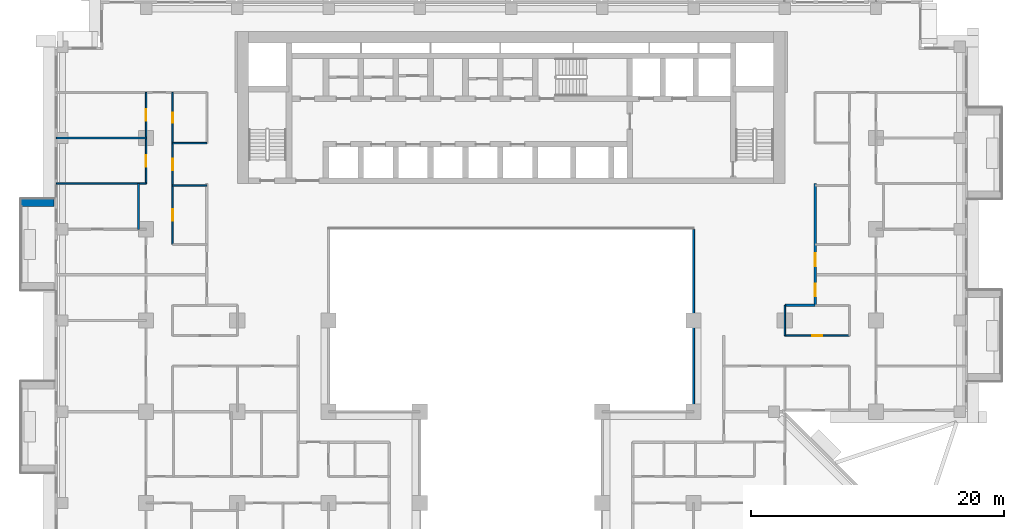
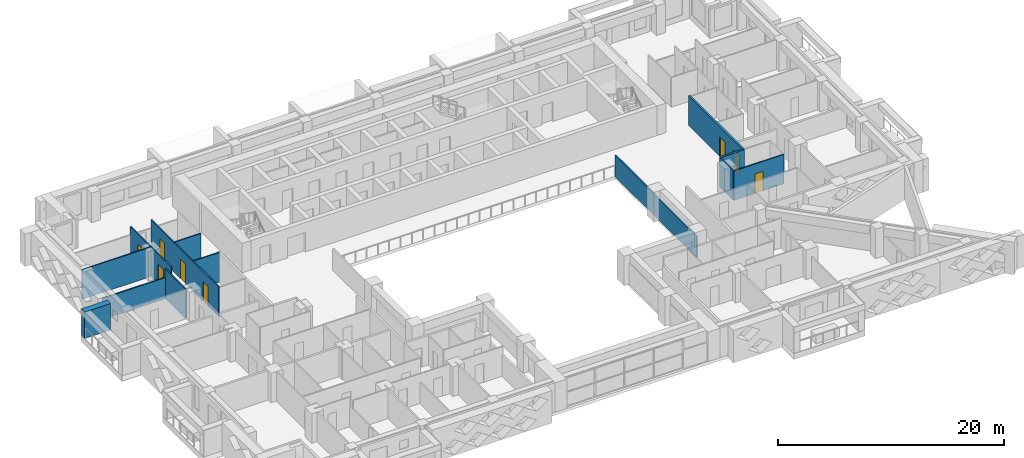
# One storey, part 9 of 17: 13 walls, 8 doors, 8 openings.
"""IFC4 building model written with IfcOpenShell, lengths in metres."""

import ifcopenshell
import ifcopenshell.guid

model = None  # the IFC model being written
_history = None  # IfcOwnerHistory: only IFC2X3 demands one
_inside = {}  # id of a spatial element -> (the spatial element, [elements in it])
_under = {}  # id of a project, library or spatial element -> (it, [spatial elements below it])
_declared = {}  # id of a project -> (the project, [libraries it declares])
_typed = {}  # id of a type object -> (the type object, [elements of that type])
_made_of = {}  # id of a material, layer set ... -> (it, [elements and type objects made of it])


def new_model(schema):
    """Start an empty IFC model of exactly this schema.

    Asked for "IFC4X3", IfcOpenShell would pick the latest addendum, in which some entities
    have other attributes; the version numbers below select the first issue.
    IFC2X3 requires an IfcOwnerHistory on every rooted entity: one is made here for all.
    """
    global model, _history
    if schema == "IFC4X3":
        model = ifcopenshell.file(schema_version=(4, 3, 0, 0))
    else:
        model = ifcopenshell.file(schema=schema)
    _inside.clear()
    _under.clear()
    _declared.clear()
    _typed.clear()
    _made_of.clear()
    _history = None
    if model.schema == "IFC2X3":
        org = make("IfcOrganization", Name="unknown")
        user = make(
            "IfcPersonAndOrganization",
            ThePerson=make("IfcPerson", FamilyName="unknown"),
            TheOrganization=org,
        )
        app = make(
            "IfcApplication",
            ApplicationDeveloper=org,
            Version="unknown",
            ApplicationFullName="unknown",
            ApplicationIdentifier="unknown",
        )
        _history = make(
            "IfcOwnerHistory",
            OwningUser=user,
            OwningApplication=app,
            ChangeAction="ADDED",
            CreationDate=0,
        )
    return model


def make(cls, **values):
    """One entity of the class cls with the attributes given. An attribute that is None is left unset."""
    return model.create_entity(
        cls, **{name: value for name, value in values.items() if value is not None}
    )


def rooted(cls, **values):
    """An entity with a GlobalId (a new one), such as an element, a storey or a relation."""
    return make(cls, GlobalId=ifcopenshell.guid.new(), OwnerHistory=_history, **values)


def si_unit(unit_type, name, prefix=None):
    """IfcSIUnit, for example si_unit("LENGTHUNIT", "METRE", prefix="MILLI")."""
    return make("IfcSIUnit", UnitType=unit_type, Prefix=prefix, Name=name)


def assignment(units):
    """IfcUnitAssignment: the units of a project."""
    return None if units is None else make("IfcUnitAssignment", Units=units)


def point(xyz):
    """IfcCartesianPoint."""
    return None if xyz is None else make("IfcCartesianPoint", Coordinates=xyz)


def direction(xyz):
    """IfcDirection."""
    return None if xyz is None else make("IfcDirection", DirectionRatios=xyz)


def frame(location, z_axis=None, x_axis=None):
    """IfcAxis2Placement3D, a coordinate frame: its origin and axes. An axis left out is left unset."""
    return make(
        "IfcAxis2Placement3D",
        Location=point(location),
        Axis=direction(z_axis),
        RefDirection=direction(x_axis),
    )


def frame_2d(location, x_axis=None):
    """IfcAxis2Placement2D, a coordinate frame in the plane: its origin and x axis."""
    return make(
        "IfcAxis2Placement2D", Location=point(location), RefDirection=direction(x_axis)
    )


def origin():
    """The frame at (0, 0, 0) with its axes left unset."""
    return frame((0.0, 0.0, 0.0))


def place(relative_to, where):
    """IfcLocalPlacement: puts the frame where relative to a parent placement (None: the world)."""
    return make(
        "IfcLocalPlacement", PlacementRelTo=relative_to, RelativePlacement=where
    )


def context(
    kind, dimensions, precision=None, world=None, true_north=None, identifier=None
):
    """IfcGeometricRepresentationContext, for example the 3D "Model" context."""
    return make(
        "IfcGeometricRepresentationContext",
        ContextIdentifier=identifier,
        ContextType=kind,
        CoordinateSpaceDimension=dimensions,
        Precision=precision,
        WorldCoordinateSystem=world,
        TrueNorth=true_north,
    )


def subcontext(parent, identifier, kind, view, scale=None):
    """IfcGeometricRepresentationSubContext, for example "Body" below "Model"."""
    return make(
        "IfcGeometricRepresentationSubContext",
        ContextIdentifier=identifier,
        ContextType=kind,
        ParentContext=parent,
        TargetScale=scale,
        TargetView=view,
    )


def project(units=None, contexts=None):
    """IfcProject with its units and contexts."""
    return rooted(
        "IfcProject",
        Name="project",
        RepresentationContexts=contexts,
        UnitsInContext=assignment(units),
    )


def spatial(cls, under=None, at=None, **own):
    """A site, building, storey or space (cls), placed at a placement, below another one or the project."""
    s = rooted(cls, ObjectPlacement=at, **own)
    if under is not None:
        _under.setdefault(under.id(), (under, []))[1].append(s)
    return s


def profile(cls, at=None, kind="AREA", **sizes):
    """A parametric profile (cls). Its sizes go by their IFC names, for example OverallWidth=200.0."""
    return make(cls, ProfileType=kind, Position=at, **sizes)


def rectangle(**sizes):
    """IfcRectangleProfileDef."""
    return profile("IfcRectangleProfileDef", **sizes)


def extrude(swept, where, along, depth):
    """IfcExtrudedAreaSolid: the profile swept, set in the frame where, extruded along a direction by depth."""
    return make(
        "IfcExtrudedAreaSolid",
        SweptArea=swept,
        Position=where,
        ExtrudedDirection=direction(along),
        Depth=depth,
    )


def shape(context_of_items, identifier, shape_type, items):
    """IfcShapeRepresentation: the items that make up one representation, for example the "Body"."""
    return make(
        "IfcShapeRepresentation",
        ContextOfItems=context_of_items,
        RepresentationIdentifier=identifier,
        RepresentationType=shape_type,
        Items=items,
    )


def material(Name=None, Category=None):
    """IfcMaterial."""
    return make("IfcMaterial", Name=Name, Category=Category)


def layer(
    of_material, thickness, ventilated=None, Name=None, Category=None, Priority=None
):
    """IfcMaterialLayer: one layer of a wall or slab, of a material (None: an air gap)."""
    return make(
        "IfcMaterialLayer",
        Material=of_material,
        LayerThickness=thickness,
        IsVentilated=ventilated,
        Name=Name,
        Category=Category,
        Priority=Priority,
    )


def layer_set(layers, Name=None):
    """IfcMaterialLayerSet."""
    return make("IfcMaterialLayerSet", MaterialLayers=layers, LayerSetName=Name)


def made_of(thing, what):
    """Note that an element or type object is made of a material, layer set ...; save() writes the relation."""
    if what is not None:
        _made_of.setdefault(what.id(), (what, []))[1].append(thing)
    return thing


def type_object(cls, material=None, **own):
    """A type object (cls), such as IfcWallType, which elements share."""
    return made_of(rooted(cls, **own), material)


def element(
    cls,
    number,
    at=None,
    inside=None,
    cuts=None,
    type_object=None,
    material=None,
    context=None,
    identifier="Body",
    shape_type=None,
    held_by="IfcProductDefinitionShape",
    body=None,
    shapes=None,
    **own,
):
    """One element of the class cls, such as IfcWall. Its Tag is "e" and its number.

    at: its placement. inside: the storey or other place that contains it. cuts: it is an
    opening in that element (IfcRelVoidsElement). A single representation is given by context,
    identifier, shape_type and body (its items); several are given by shapes. held_by: the class
    of the entity that holds the representations. save() writes the other relations.
    """
    e = rooted(cls, Tag="e%d" % number, ObjectPlacement=at, **own)
    if body is not None:
        shapes = [shape(context, identifier, shape_type, body)]
    if shapes is not None:
        e.Representation = make(held_by, Representations=shapes)
    if inside is not None:
        _inside.setdefault(inside.id(), (inside, []))[1].append(e)
    if cuts is not None:
        rooted(
            "IfcRelVoidsElement", RelatingBuildingElement=cuts, RelatedOpeningElement=e
        )
    if type_object is not None:
        _typed.setdefault(type_object.id(), (type_object, []))[1].append(e)
    return made_of(e, material)


def fill(opening, filler):
    """IfcRelFillsElement: the door or window that sits in an opening."""
    return rooted(
        "IfcRelFillsElement",
        RelatingOpeningElement=opening,
        RelatedBuildingElement=filler,
    )


def aggregate(whole, parts):
    """IfcRelAggregates: a whole, such as a stair, and the parts it consists of."""
    return rooted("IfcRelAggregates", RelatingObject=whole, RelatedObjects=parts)


def save(model, path):
    """Write the relations noted so far, then the file.

    IfcRelAggregates (storeys below a building ...), IfcRelContainedInSpatialStructure (elements
    in a storey), IfcRelDefinesByType, IfcRelAssociatesMaterial and IfcRelDeclares: one each for
    every whole, place, type object, material and project.
    """
    for whole, parts in _under.values():
        aggregate(whole, parts)
    for where, things in _inside.values():
        rooted(
            "IfcRelContainedInSpatialStructure",
            RelatedElements=things,
            RelatingStructure=where,
        )
    for kind, things in _typed.values():
        rooted("IfcRelDefinesByType", RelatedObjects=things, RelatingType=kind)
    for what, things in _made_of.values():
        rooted("IfcRelAssociatesMaterial", RelatedObjects=things, RelatingMaterial=what)
    for by, libraries in _declared.values():
        rooted("IfcRelDeclares", RelatingContext=by, RelatedDefinitions=libraries)
    model.write(path)


model = new_model("IFC4")

# Units and contexts
model_context = context("Model", 3, precision=1e-05, world=origin(), true_north=direction((0.0, 1.0)))
body_context = subcontext(model_context, "Body", "Model", "MODEL_VIEW")
ifc_project = project(units=[si_unit("LENGTHUNIT", "METRE"), si_unit("AREAUNIT", "SQUARE_METRE"), si_unit("VOLUMEUNIT", "CUBIC_METRE"), si_unit("PLANEANGLEUNIT", "RADIAN"), si_unit("MASSUNIT", "GRAM", prefix="KILO")], contexts=[model_context])

# Site, building, storey
site_placement = place(None, origin())
site = spatial("IfcSite", under=ifc_project, at=site_placement, CompositionType="ELEMENT")
building_placement = place(site_placement, origin())
building = spatial("IfcBuilding", under=site, at=building_placement, Name="Saffron Iwan Residences", CompositionType="ELEMENT")
storey_placement = place(building_placement, frame((0.0, 0.0, 93.5)))
storey = spatial("IfcBuildingStorey", under=building, at=storey_placement, Name="L24", CompositionType="ELEMENT", Elevation=93.5)

# Walls
ifc_material_1 = material(Name="Fire-rated glazing", Category="glass")
ifc_layer_1 = layer(ifc_material_1, 0.14990234375)
ifc_layer_set_1 = layer_set([ifc_layer_1], Name="Fire-rated glazing")
wall_type_1 = type_object("IfcWallType", Name="Atrium glazed screen 150", PredefinedType="SOLIDWALL", material=ifc_layer_set_1)
wall_1_placement = place(storey_placement, frame((64.800048828125, 48.0, 0.0), z_axis=(0.0, 0.0, 1.0), x_axis=(0.0, 1.0, 0.0)))
element("IfcWall", 1, at=wall_1_placement, inside=storey, type_object=wall_type_1, Name="W-L24-SCREEN-v64.8-48", PredefinedType="SOLIDWALL", context=body_context, shape_type="SweptSolid", body=[
    extrude(rectangle(XDim=14.39990234375, YDim=0.14990234375, at=frame_2d((7.199951171875, 0.0))), origin(), (0.0, 0.0, 1.0), 2.280029296875),
])
ifc_material_2 = material(Name="Concrete C50/60 white painted", Category="concrete")
ifc_layer_2 = layer(ifc_material_2, 0.60009765625)
ifc_layer_set_2 = layer_set([ifc_layer_2], Name="Concrete C50/60 white painted")
wall_type_2 = type_object("IfcWallType", Name="BALCONY FIN 600", PredefinedType="SOLIDWALL", material=ifc_layer_set_2)
wall_2_placement = place(storey_placement, frame((14.35009765625, 64.5, 0.0), z_axis=(0.0, 0.0, 1.0), x_axis=(-1.0, 0.0, 0.0)))
element("IfcWall", 2, at=wall_2_placement, inside=storey, type_object=wall_type_2, Name="Balcony fin L24 F8-0a", PredefinedType="SOLIDWALL", context=body_context, shape_type="SweptSolid", body=[
    extrude(rectangle(XDim=2.650146484375, YDim=0.60009765625, at=frame_2d((1.3251953125, 0.0))), origin(), (0.0, 0.0, 1.0), 2.85009765625),
])

# Wall, opening, door
ifc_material_3 = material(Name="Gypsum board partition")
ifc_layer_3 = layer(ifc_material_3, 0.1201171875)
ifc_layer_set_3 = layer_set([ifc_layer_3], Name="Gypsum board partition")
wall_type_3 = type_object("IfcWallType", Name="Flat partition 120", PredefinedType="PARTITIONING", material=ifc_layer_set_3)
wall_3_placement = place(storey_placement, frame((72.0, 54.0, 0.0), z_axis=(0.0, 0.0, 1.0), x_axis=(1.0, 0.0, 0.0)))
wall_3 = element("IfcWall", 3, at=wall_3_placement, inside=storey, type_object=wall_type_3, Name="W-L24-PART-h54-72", PredefinedType="PARTITIONING", context=body_context, shape_type="SweptSolid", body=[
    extrude(rectangle(XDim=5.10009765625, YDim=0.1201171875, at=frame_2d((2.550048828125, 0.0))), origin(), (0.0, 0.0, 1.0), 3.179931640625),
])
opening_1_placement = place(wall_3_placement, frame((2.14990234375, 0.0, 0.0)))
opening_1 = element("IfcOpeningElement", 4, at=opening_1_placement, cuts=wall_3, Name="Opening FD3", PredefinedType="OPENING", context=body_context, shape_type="SweptSolid", body=[
    extrude(rectangle(XDim=0.800048828125, YDim=2.10009765625, at=frame_2d((0.39990234375, 1.050048828125))), frame((0.0, 0.070068359375, 0.0), z_axis=(0.0, -1.0, 0.0), x_axis=(1.0, 0.0, 0.0)), (0.0, 0.0, 1.0), 0.14013671875),
])
ifc_material_4 = material(Name="Timber door", Category="wood")
door_type_1 = type_object("IfcDoorType", Name="Bathroom door 800", OperationType="NOTDEFINED", PredefinedType="DOOR", material=ifc_material_4)
door_1_placement = place(opening_1_placement, origin())
door_1 = element("IfcDoor", 5, at=door_1_placement, inside=storey, type_object=door_type_1, Name="Door L24-024", OperationType="SINGLE_SWING_LEFT", OverallHeight=2.10009765625, OverallWidth=0.800048828125, PredefinedType="DOOR", context=body_context, shape_type="SweptSolid", body=[
    extrude(rectangle(XDim=0.800048828125, YDim=2.10009765625, at=frame_2d((0.39990234375, 1.050048828125))), frame((0.0, 0.02490234375, 0.0), z_axis=(0.0, -1.0, 0.0), x_axis=(1.0, 0.0, 0.0)), (0.0, 0.0, 1.0), 0.050048828125),
])
fill(opening_1, door_1)

# Walls
wall_4_placement = place(storey_placement, frame((23.699951171875, 65.85009765625, 0.0), z_axis=(0.0, 0.0, 1.0), x_axis=(1.0, 0.0, 0.0)))
element("IfcWall", 6, at=wall_4_placement, inside=storey, type_object=wall_type_3, Name="W-L24-PART-h65.85-23.7", PredefinedType="PARTITIONING", context=body_context, shape_type="SweptSolid", body=[
    extrude(rectangle(XDim=2.699951171875, YDim=0.1201171875, at=frame_2d((1.35009765625, 0.0))), origin(), (0.0, 0.0, 1.0), 3.179931640625),
])
wall_5_placement = place(storey_placement, frame((14.52490234375, 66.0, 0.0), z_axis=(0.0, 0.0, 1.0), x_axis=(1.0, 0.0, 0.0)))
element("IfcWall", 7, at=wall_5_placement, inside=storey, type_object=wall_type_3, Name="W-L24-PART-h66-14.525", PredefinedType="PARTITIONING", context=body_context, shape_type="SweptSolid", body=[
    extrude(rectangle(XDim=7.0751953125, YDim=0.1201171875, at=frame_2d((3.53759765625, 0.0))), origin(), (0.0, 0.0, 1.0), 2.280029296875),
])
wall_6_placement = place(storey_placement, frame((23.699951171875, 69.199951171875, 0.0), z_axis=(0.0, 0.0, 1.0), x_axis=(1.0, 0.0, 0.0)))
element("IfcWall", 8, at=wall_6_placement, inside=storey, type_object=wall_type_3, Name="W-L24-PART-h69.2-23.7", PredefinedType="PARTITIONING", context=body_context, shape_type="SweptSolid", body=[
    extrude(rectangle(XDim=2.699951171875, YDim=0.1201171875, at=frame_2d((1.35009765625, 0.0))), origin(), (0.0, 0.0, 1.0), 3.179931640625),
])
wall_7_placement = place(storey_placement, frame((14.52490234375, 69.60009765625, 0.0), z_axis=(0.0, 0.0, 1.0), x_axis=(1.0, 0.0, 0.0)))
element("IfcWall", 9, at=wall_7_placement, inside=storey, type_object=wall_type_3, Name="W-L24-PART-h69.6-14.525", PredefinedType="PARTITIONING", context=body_context, shape_type="SweptSolid", body=[
    extrude(rectangle(XDim=7.0751953125, YDim=0.1201171875, at=frame_2d((3.53759765625, 0.0))), origin(), (0.0, 0.0, 1.0), 3.179931640625),
])
wall_8_placement = place(storey_placement, frame((21.0, 62.39990234375, 0.0), z_axis=(0.0, 0.0, 1.0), x_axis=(0.0, 1.0, 0.0)))
element("IfcWall", 10, at=wall_8_placement, inside=storey, type_object=wall_type_3, Name="W-L24-PART-v21-62.4", PredefinedType="PARTITIONING", context=body_context, shape_type="SweptSolid", body=[
    extrude(rectangle(XDim=3.60009765625, YDim=0.1201171875, at=frame_2d((1.800048828125, 0.0))), origin(), (0.0, 0.0, 1.0), 3.179931640625),
])

# Wall, openings, doors
wall_9_placement = place(storey_placement, frame((21.60009765625, 66.0, 0.0), z_axis=(0.0, 0.0, 1.0), x_axis=(0.0, 1.0, 0.0)))
wall_9 = element("IfcWall", 11, at=wall_9_placement, inside=storey, type_object=wall_type_3, Name="W-L24-PART-v21.6-66", PredefinedType="PARTITIONING", context=body_context, shape_type="SweptSolid", body=[
    extrude(rectangle(XDim=7.199951171875, YDim=0.1201171875, at=frame_2d((3.60009765625, 0.0))), origin(), (0.0, 0.0, 1.0), 3.179931640625),
])
opening_2_placement = place(wall_9_placement, frame((1.35009765625, 0.0, 0.0)))
opening_2 = element("IfcOpeningElement", 12, at=opening_2_placement, cuts=wall_9, Name="Opening FD2", PredefinedType="OPENING", context=body_context, shape_type="SweptSolid", body=[
    extrude(rectangle(XDim=0.89990234375, YDim=2.10009765625, at=frame_2d((0.449951171875, 1.050048828125))), frame((0.0, 0.070068359375, 0.0), z_axis=(0.0, -1.0, 0.0), x_axis=(1.0, 0.0, 0.0)), (0.0, 0.0, 1.0), 0.14013671875),
])
opening_3_placement = place(wall_9_placement, frame((4.949951171875, 0.0, 0.0)))
opening_3 = element("IfcOpeningElement", 13, at=opening_3_placement, cuts=wall_9, Name="Opening FD2", PredefinedType="OPENING", context=body_context, shape_type="SweptSolid", body=[
    extrude(rectangle(XDim=0.89990234375, YDim=2.10009765625, at=frame_2d((0.449951171875, 1.050048828125))), frame((0.0, 0.070068359375, 0.0), z_axis=(0.0, -1.0, 0.0), x_axis=(1.0, 0.0, 0.0)), (0.0, 0.0, 1.0), 0.14013671875),
])
door_type_2 = type_object("IfcDoorType", Name="Flat door 900", OperationType="NOTDEFINED", PredefinedType="DOOR", material=ifc_material_4)
door_2_placement = place(opening_2_placement, origin())
door_2 = element("IfcDoor", 14, at=door_2_placement, inside=storey, type_object=door_type_2, Name="Door L24-029", OperationType="SINGLE_SWING_LEFT", OverallHeight=2.10009765625, OverallWidth=0.89990234375, PredefinedType="DOOR", context=body_context, shape_type="SweptSolid", body=[
    extrude(rectangle(XDim=0.89990234375, YDim=2.10009765625, at=frame_2d((0.449951171875, 1.050048828125))), frame((0.0, 0.02490234375, 0.0), z_axis=(0.0, -1.0, 0.0), x_axis=(1.0, 0.0, 0.0)), (0.0, 0.0, 1.0), 0.050048828125),
])
fill(opening_2, door_2)
door_3_placement = place(opening_3_placement, origin())
door_3 = element("IfcDoor", 15, at=door_3_placement, inside=storey, type_object=door_type_2, Name="Door L24-030", OperationType="SINGLE_SWING_LEFT", OverallHeight=2.10009765625, OverallWidth=0.89990234375, PredefinedType="DOOR", context=body_context, shape_type="SweptSolid", body=[
    extrude(rectangle(XDim=0.89990234375, YDim=2.10009765625, at=frame_2d((0.449951171875, 1.050048828125))), frame((0.0, 0.02490234375, 0.0), z_axis=(0.0, -1.0, 0.0), x_axis=(1.0, 0.0, 0.0)), (0.0, 0.0, 1.0), 0.050048828125),
])
fill(opening_3, door_3)

wall_10_placement = place(storey_placement, frame((23.699951171875, 61.199951171875, 0.0), z_axis=(0.0, 0.0, 1.0), x_axis=(0.0, 1.0, 0.0)))
wall_10 = element("IfcWall", 16, at=wall_10_placement, inside=storey, type_object=wall_type_3, Name="W-L24-PART-v23.7-61.2", PredefinedType="PARTITIONING", context=body_context, shape_type="SweptSolid", body=[
    extrude(rectangle(XDim=12.0, YDim=0.1201171875, at=frame_2d((6.0, 0.0))), origin(), (0.0, 0.0, 1.0), 3.179931640625),
])
opening_4_placement = place(wall_10_placement, frame((1.875, 0.0, 0.0)))
opening_4 = element("IfcOpeningElement", 17, at=opening_4_placement, cuts=wall_10, Name="Opening FD2", PredefinedType="OPENING", context=body_context, shape_type="SweptSolid", body=[
    extrude(rectangle(XDim=0.89990234375, YDim=2.10009765625, at=frame_2d((0.449951171875, 1.050048828125))), frame((0.0, 0.070068359375, 0.0), z_axis=(0.0, -1.0, 0.0), x_axis=(1.0, 0.0, 0.0)), (0.0, 0.0, 1.0), 0.14013671875),
])
opening_5_placement = place(wall_10_placement, frame((5.875, 0.0, 0.0)))
opening_5 = element("IfcOpeningElement", 18, at=opening_5_placement, cuts=wall_10, Name="Opening FD2", PredefinedType="OPENING", context=body_context, shape_type="SweptSolid", body=[
    extrude(rectangle(XDim=0.89990234375, YDim=2.10009765625, at=frame_2d((0.449951171875, 1.050048828125))), frame((0.0, 0.070068359375, 0.0), z_axis=(0.0, -1.0, 0.0), x_axis=(1.0, 0.0, 0.0)), (0.0, 0.0, 1.0), 0.14013671875),
])
opening_6_placement = place(wall_10_placement, frame((9.60009765625, 0.0, 0.0)))
opening_6 = element("IfcOpeningElement", 19, at=opening_6_placement, cuts=wall_10, Name="Opening FD3", PredefinedType="OPENING", context=body_context, shape_type="SweptSolid", body=[
    extrude(rectangle(XDim=0.800048828125, YDim=2.10009765625, at=frame_2d((0.39990234375, 1.050048828125))), frame((0.0, 0.070068359375, 0.0), z_axis=(0.0, -1.0, 0.0), x_axis=(1.0, 0.0, 0.0)), (0.0, 0.0, 1.0), 0.14013671875),
])
door_4_placement = place(opening_6_placement, origin())
door_4 = element("IfcDoor", 20, at=door_4_placement, inside=storey, type_object=door_type_1, Name="Door L24-034", OperationType="SINGLE_SWING_RIGHT", OverallHeight=2.10009765625, OverallWidth=0.800048828125, PredefinedType="DOOR", context=body_context, shape_type="SweptSolid", body=[
    extrude(rectangle(XDim=0.800048828125, YDim=2.10009765625, at=frame_2d((0.39990234375, 1.050048828125))), frame((0.0, 0.02490234375, 0.0), z_axis=(0.0, -1.0, 0.0), x_axis=(1.0, 0.0, 0.0)), (0.0, 0.0, 1.0), 0.050048828125),
])
fill(opening_6, door_4)
door_5_placement = place(opening_4_placement, origin())
door_5 = element("IfcDoor", 21, at=door_5_placement, inside=storey, type_object=door_type_2, Name="Door L24-032", OperationType="SINGLE_SWING_LEFT", OverallHeight=2.10009765625, OverallWidth=0.89990234375, PredefinedType="DOOR", context=body_context, shape_type="SweptSolid", body=[
    extrude(rectangle(XDim=0.89990234375, YDim=2.10009765625, at=frame_2d((0.449951171875, 1.050048828125))), frame((0.0, 0.02490234375, 0.0), z_axis=(0.0, -1.0, 0.0), x_axis=(1.0, 0.0, 0.0)), (0.0, 0.0, 1.0), 0.050048828125),
])
fill(opening_4, door_5)
door_6_placement = place(opening_5_placement, origin())
door_6 = element("IfcDoor", 22, at=door_6_placement, inside=storey, type_object=door_type_2, Name="Door L24-033", OperationType="SINGLE_SWING_LEFT", OverallHeight=2.10009765625, OverallWidth=0.89990234375, PredefinedType="DOOR", context=body_context, shape_type="SweptSolid", body=[
    extrude(rectangle(XDim=0.89990234375, YDim=2.10009765625, at=frame_2d((0.449951171875, 1.050048828125))), frame((0.0, 0.02490234375, 0.0), z_axis=(0.0, -1.0, 0.0), x_axis=(1.0, 0.0, 0.0)), (0.0, 0.0, 1.0), 0.050048828125),
])
fill(opening_5, door_6)

# Walls
wall_11_placement = place(storey_placement, frame((72.0, 54.0, 0.0), z_axis=(0.0, 0.0, 1.0), x_axis=(0.0, 1.0, 0.0)))
element("IfcWall", 23, at=wall_11_placement, inside=storey, type_object=wall_type_3, Name="W-L24-PART-v72-54", PredefinedType="PARTITIONING", context=body_context, shape_type="SweptSolid", body=[
    extrude(rectangle(XDim=2.39990234375, YDim=0.1201171875, at=frame_2d((1.199951171875, 0.0))), origin(), (0.0, 0.0, 1.0), 3.179931640625),
])
ifc_material_5 = material(Name="Fire-rated gypsum board wall")
ifc_layer_4 = layer(ifc_material_5, 0.199951171875)
ifc_layer_set_4 = layer_set([ifc_layer_4], Name="Fire-rated gypsum board wall")
wall_type_4 = type_object("IfcWallType", Name="Gallery wall 200", PredefinedType="SOLIDWALL", material=ifc_layer_set_4)
wall_12_placement = place(storey_placement, frame((72.0, 56.39990234375, 0.0), z_axis=(0.0, 0.0, 1.0), x_axis=(1.0, 0.0, 0.0)))
element("IfcWall", 24, at=wall_12_placement, inside=storey, type_object=wall_type_4, Name="W-L24-CORR-h56.4-72", PredefinedType="SOLIDWALL", context=body_context, shape_type="SweptSolid", body=[
    extrude(rectangle(XDim=2.39990234375, YDim=0.199951171875, at=frame_2d((1.199951171875, 0.0))), origin(), (0.0, 0.0, 1.0), 3.179931640625),
])

# Wall, openings, doors
wall_13_placement = place(storey_placement, frame((74.39990234375, 56.39990234375, 0.0), z_axis=(0.0, 0.0, 1.0), x_axis=(0.0, 1.0, 0.0)))
wall_13 = element("IfcWall", 25, at=wall_13_placement, inside=storey, type_object=wall_type_4, Name="W-L24-CORR-v74.4-56.4", PredefinedType="SOLIDWALL", context=body_context, shape_type="SweptSolid", body=[
    extrude(rectangle(XDim=9.60009765625, YDim=0.199951171875, at=frame_2d((4.800048828125, 0.0))), origin(), (0.0, 0.0, 1.0), 3.179931640625),
])
opening_7_placement = place(wall_13_placement, frame((0.699951171875, 0.0, 0.0)))
opening_7 = element("IfcOpeningElement", 26, at=opening_7_placement, cuts=wall_13, Name="Opening FD1", PredefinedType="OPENING", context=body_context, shape_type="SweptSolid", body=[
    extrude(rectangle(XDim=1.0, YDim=2.10009765625, at=frame_2d((0.5, 1.050048828125))), frame((0.0, 0.10986328125, 0.0), z_axis=(0.0, -1.0, 0.0), x_axis=(1.0, 0.0, 0.0)), (0.0, 0.0, 1.0), 0.219970703125),
])
opening_8_placement = place(wall_13_placement, frame((3.10009765625, 0.0, 0.0)))
opening_8 = element("IfcOpeningElement", 27, at=opening_8_placement, cuts=wall_13, Name="Opening FD1", PredefinedType="OPENING", context=body_context, shape_type="SweptSolid", body=[
    extrude(rectangle(XDim=1.0, YDim=2.10009765625, at=frame_2d((0.5, 1.050048828125))), frame((0.0, 0.10986328125, 0.0), z_axis=(0.0, -1.0, 0.0), x_axis=(1.0, 0.0, 0.0)), (0.0, 0.0, 1.0), 0.219970703125),
])
ifc_material_6 = material(Name="Fire-rated timber door", Category="wood")
door_type_3 = type_object("IfcDoorType", Name="FD30S flat entrance door 1000", OperationType="NOTDEFINED", PredefinedType="DOOR", material=ifc_material_6)
door_7_placement = place(opening_7_placement, origin())
door_7 = element("IfcDoor", 28, at=door_7_placement, inside=storey, type_object=door_type_3, Name="Door L24-020", OperationType="SINGLE_SWING_LEFT", OverallHeight=2.10009765625, OverallWidth=1.0, PredefinedType="DOOR", context=body_context, shape_type="SweptSolid", body=[
    extrude(rectangle(XDim=1.0, YDim=2.10009765625, at=frame_2d((0.5, 1.050048828125))), frame((0.0, 0.02490234375, 0.0), z_axis=(0.0, -1.0, 0.0), x_axis=(1.0, 0.0, 0.0)), (0.0, 0.0, 1.0), 0.050048828125),
])
fill(opening_7, door_7)
door_8_placement = place(opening_8_placement, origin())
door_8 = element("IfcDoor", 29, at=door_8_placement, inside=storey, type_object=door_type_3, Name="Door L24-035", OperationType="SINGLE_SWING_LEFT", OverallHeight=2.10009765625, OverallWidth=1.0, PredefinedType="DOOR", context=body_context, shape_type="SweptSolid", body=[
    extrude(rectangle(XDim=1.0, YDim=2.10009765625, at=frame_2d((0.5, 1.050048828125))), frame((0.0, 0.02490234375, 0.0), z_axis=(0.0, -1.0, 0.0), x_axis=(1.0, 0.0, 0.0)), (0.0, 0.0, 1.0), 0.050048828125),
])
fill(opening_8, door_8)

save(model, "model.ifc")
